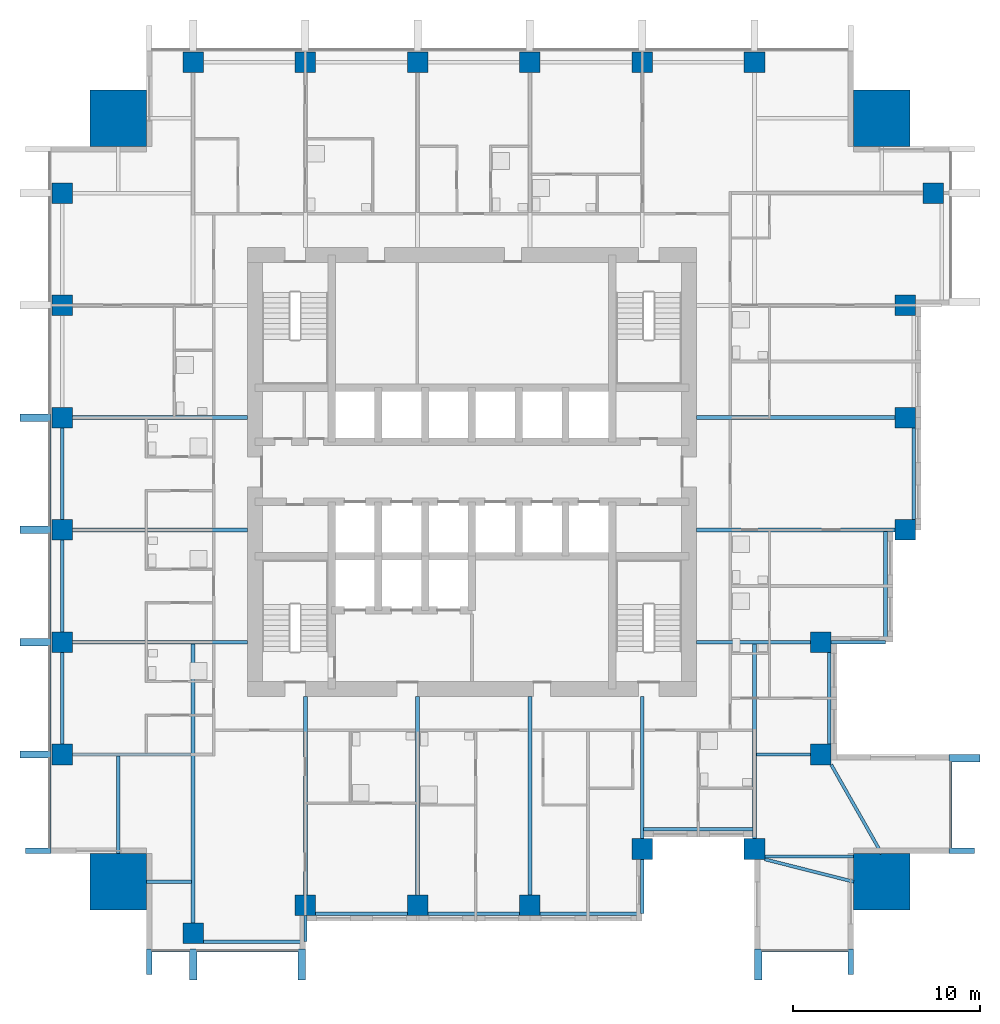
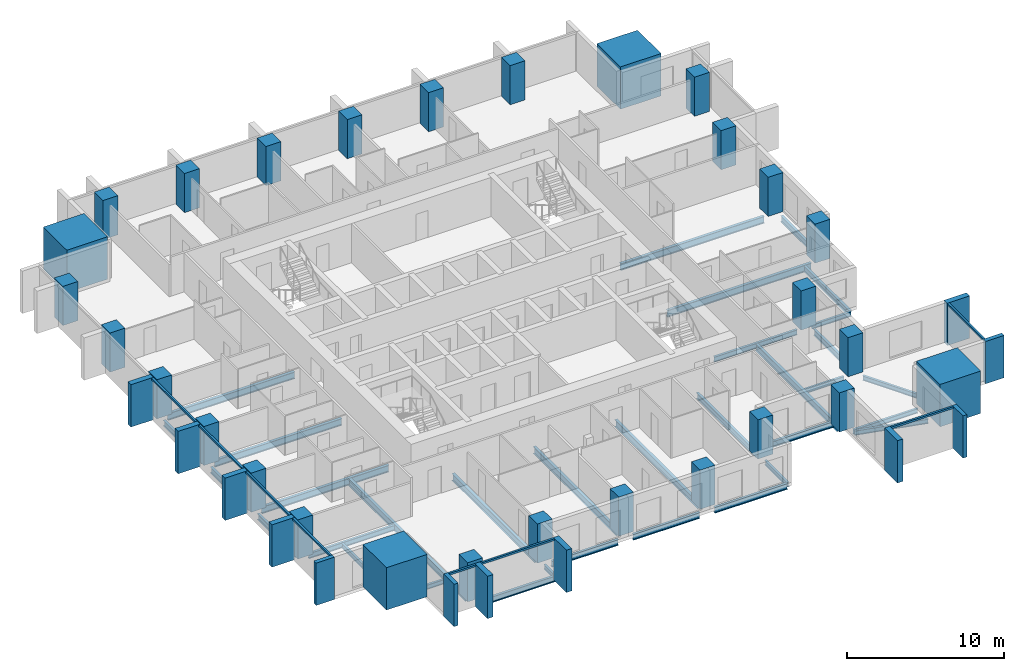
# One storey, part 1 of 10: 33 beams, 28 columns, 20 members, 4 elements without a shape of their own.
"""IFC4 building model written with IfcOpenShell, lengths in metres."""

from ifc_helpers import new_model, si_unit, direction, frame, origin, origin_2d, place, context, subcontext, project, spatial, rectangle, i_section, extrude, material, material_profile, profile_set, type_object, element, aggregate, save


model = new_model("IFC4")

# Units and contexts
model_context = context("Model", 3, precision=1e-05, world=origin(), true_north=direction((0.0, 1.0)))
body_context = subcontext(model_context, "Body", "Model", "MODEL_VIEW")
ifc_project = project(units=[si_unit("LENGTHUNIT", "METRE"), si_unit("AREAUNIT", "SQUARE_METRE"), si_unit("VOLUMEUNIT", "CUBIC_METRE"), si_unit("PLANEANGLEUNIT", "RADIAN"), si_unit("MASSUNIT", "GRAM", prefix="KILO")], contexts=[model_context])

# Site, building, storey
site_placement = place(None, origin())
site = spatial("IfcSite", under=ifc_project, at=site_placement, CompositionType="ELEMENT")
building_placement = place(site_placement, origin())
building = spatial("IfcBuilding", under=site, at=building_placement, Name="Amberfall Residences", CompositionType="ELEMENT")
storey_placement = place(building_placement, frame((0.0, 0.0, 101.800048828125)))
storey = spatial("IfcBuildingStorey", under=building, at=storey_placement, Name="L27", CompositionType="ELEMENT", Elevation=101.800048828125)

# Columns
ifc_material_1 = material(Name="Concrete C70", Category="concrete")
ifc_material_profile_1 = material_profile(ifc_material_1, rectangle(XDim=1.10009765625, YDim=1.10009765625, at=origin_2d()), Name="Column 1100 x 1100 C70")
ifc_profile_set_1 = profile_set([ifc_material_profile_1], Name="Concrete C70")
column_type_1 = type_object("IfcColumnType", Name="Column 1100 x 1100 C70", PredefinedType="COLUMN", material=ifc_profile_set_1)
for number, where, z_axis, x_axis, name in (
    (1, (59.60009765625, 20.85009765625, 0.0), (0.0, 0.0, 1.0), (1.0, 0.0, 0.0), "Column C2 L27 S1"),
    (2, (65.60009765625, 22.35009765625, 0.0), (0.0, 0.0, 1.0), (1.0, 0.0, 0.0), "Column C2 L27 S2"),
    (3, (71.60009765625, 22.35009765625, 0.0), (0.0, 0.0, 1.0), (1.0, 0.0, 0.0), "Column C2 L27 S3"),
    (4, (77.60009765625, 22.35009765625, 0.0), (0.0, 0.0, 1.0), (1.0, 0.0, 0.0), "Column C2 L27 S4"),
    (5, (83.60009765625, 25.35009765625, 0.0), (0.0, 0.0, 1.0), (1.0, 0.0, 0.0), "Column C2 L27 S5"),
    (6, (89.60009765625, 25.35009765625, 0.0), (0.0, 0.0, 1.0), (1.0, 0.0, 0.0), "Column C2 L27 S6"),
    (7, (93.14990234375, 30.39990234375, 0.0), (0.0, 0.0, 1.0), (1.0, 0.0, 0.0), "Column C2 L27 E1"),
    (8, (93.14990234375, 36.39990234375, 0.0), (0.0, 0.0, 1.0), (1.0, 0.0, 0.0), "Column C2 L27 E2"),
    (9, (97.64990234375, 42.39990234375, 0.0), (0.0, 0.0, 1.0), (1.0, 0.0, 0.0), "Column C2 L27 E3"),
    (10, (97.64990234375, 48.39990234375, 0.0), (0.0, 0.0, 1.0), (1.0, 0.0, 0.0), "Column C2 L27 E4"),
    (11, (97.64990234375, 54.39990234375, 0.0), (0.0, 0.0, 1.0), (1.0, 0.0, 0.0), "Column C2 L27 E5"),
    (12, (99.14990234375, 60.39990234375, 0.0), (0.0, 0.0, 1.0), (1.0, 0.0, 0.0), "Column C2 L27 E6"),
    (13, (59.60009765625, 67.39990234375, 0.0), (0.0, 0.0, 1.0), (1.0, 0.0, 0.0), "Column C2 L27 N1"),
    (14, (65.60009765625, 67.39990234375, 0.0), (0.0, 0.0, 1.0), (1.0, 0.0, 0.0), "Column C2 L27 N2"),
    (15, (71.60009765625, 67.39990234375, 0.0), (0.0, 0.0, 1.0), (1.0, 0.0, 0.0), "Column C2 L27 N3"),
    (16, (77.60009765625, 67.39990234375, 0.0), (0.0, 0.0, 1.0), (1.0, 0.0, 0.0), "Column C2 L27 N4"),
    (17, (83.60009765625, 67.39990234375, 0.0), (0.0, 0.0, 1.0), (1.0, 0.0, 0.0), "Column C2 L27 N5"),
    (18, (89.60009765625, 67.39990234375, 0.0), (0.0, 0.0, 1.0), (1.0, 0.0, 0.0), "Column C2 L27 N6"),
    (19, (52.60009765625, 30.39990234375, 0.0), (0.0, 0.0, 1.0), (1.0, 0.0, 0.0), "Column C2 L27 W1"),
    (20, (52.60009765625, 36.39990234375, 0.0), (0.0, 0.0, 1.0), (1.0, 0.0, 0.0), "Column C2 L27 W2"),
    (21, (52.60009765625, 42.39990234375, 0.0), (0.0, 0.0, 1.0), (1.0, 0.0, 0.0), "Column C2 L27 W3"),
    (22, (52.60009765625, 48.39990234375, 0.0), (0.0, 0.0, 1.0), (1.0, 0.0, 0.0), "Column C2 L27 W4"),
    (23, (52.60009765625, 54.39990234375, 0.0), (0.0, 0.0, 1.0), (1.0, 0.0, 0.0), "Column C2 L27 W5"),
    (24, (52.60009765625, 60.39990234375, 0.0), (0.0, 0.0, 1.0), (1.0, 0.0, 0.0), "Column C2 L27 W6"),
):
    element("IfcColumn", number, at=place(storey_placement, frame(where, z_axis=z_axis, x_axis=x_axis)), inside=storey, type_object=column_type_1, Name=name, PredefinedType="COLUMN", context=body_context, shape_type="SweptSolid", body=[
        extrude(rectangle(XDim=1.10009765625, YDim=1.10009765625, at=origin_2d()), origin(), (0.0, 0.0, 1.0), 3.050048828125),
    ])
ifc_material_profile_2 = material_profile(ifc_material_1, rectangle(XDim=3.0, YDim=3.0, at=origin_2d()), Name="Mega column 3000 x 3000 C70")
ifc_profile_set_2 = profile_set([ifc_material_profile_2], Name="Concrete C70")
column_type_2 = type_object("IfcColumnType", Name="Mega column 3000 x 3000 C70", PredefinedType="COLUMN", material=ifc_profile_set_2)
for number, where, z_axis, x_axis, name in (
    (25, (55.60009765625, 23.60009765625, 0.0), (0.0, 0.0, 1.0), (1.0, 0.0, 0.0), "Mega column MC2 L27 SW"),
    (26, (96.39990234375, 23.60009765625, 0.0), (0.0, 0.0, 1.0), (1.0, 0.0, 0.0), "Mega column MC2 L27 SE"),
    (27, (96.39990234375, 64.39990234375, 0.0), (0.0, 0.0, 1.0), (1.0, 0.0, 0.0), "Mega column MC2 L27 NE"),
    (28, (55.60009765625, 64.39990234375, 0.0), (0.0, 0.0, 1.0), (1.0, 0.0, 0.0), "Mega column MC2 L27 NW"),
):
    element("IfcColumn", number, at=place(storey_placement, frame(where, z_axis=z_axis, x_axis=x_axis)), inside=storey, type_object=column_type_2, Name=name, PredefinedType="COLUMN", context=body_context, shape_type="SweptSolid", body=[
        extrude(rectangle(XDim=3.0, YDim=3.0, at=origin_2d()), origin(), (0.0, 0.0, 1.0), 3.300048828125),
    ])

# Curtain wall, members
ifc_material_2 = material(Name="Bronze anodised aluminium and glass", Category="aluminium")
curtain_wall_type = type_object("IfcCurtainWallType", Name="Curtain wall CW1 tower unit", PredefinedType="USERDEFINED", material=ifc_material_2)
curtain_wall_1_placement = place(storey_placement, origin())
curtain_wall_1 = element("IfcCurtainWall", 29, at=curtain_wall_1_placement, inside=storey, type_object=curtain_wall_type, Name="Curtain wall L27 S S1", ObjectType="UNITISED CURTAIN WALL", PredefinedType="USERDEFINED")
ifc_material_3 = material(Name="Bronze anodised aluminium", Category="aluminium")
ifc_material_profile_3 = material_profile(ifc_material_3, rectangle(XDim=0.14990234375, YDim=0.14990234375, at=origin_2d()), Name="CW1 transom 150 x 150 bronze")
ifc_profile_set_3 = profile_set([ifc_material_profile_3], Name="Bronze anodised aluminium")
member_type_1 = type_object("IfcMemberType", Name="CW1 transom 150 x 150 bronze", PredefinedType="USERDEFINED", material=ifc_profile_set_3)
member_1_placement = place(storey_placement, frame((57.39990234375, 19.925048828125, 2.974853515625), z_axis=(1.0, 0.0, 0.0), x_axis=(0.0, 1.0, 0.0)))
member_1 = element("IfcMember", 30, at=member_1_placement, type_object=member_type_1, Name="CW1 transom 1.1", ObjectType="TRANSOM", PredefinedType="USERDEFINED", context=body_context, shape_type="SweptSolid", body=[
    extrude(rectangle(XDim=0.14990234375, YDim=0.14990234375, at=origin_2d()), origin(), (0.0, 0.0, 1.0), 2.0),
])
member_2_placement = place(storey_placement, frame((59.800048828125, 19.925048828125, 2.974853515625), z_axis=(1.0, 0.0, 0.0), x_axis=(0.0, 1.0, 0.0)))
member_2 = element("IfcMember", 31, at=member_2_placement, type_object=member_type_1, Name="CW1 transom 2.1", ObjectType="TRANSOM", PredefinedType="USERDEFINED", context=body_context, shape_type="SweptSolid", body=[
    extrude(rectangle(XDim=0.14990234375, YDim=0.14990234375, at=origin_2d()), origin(), (0.0, 0.0, 1.0), 5.39990234375),
])

# Curtain wall, member
curtain_wall_2_placement = place(storey_placement, origin())
curtain_wall_2 = element("IfcCurtainWall", 32, at=curtain_wall_2_placement, inside=storey, type_object=curtain_wall_type, Name="Curtain wall L27 S S9", ObjectType="UNITISED CURTAIN WALL", PredefinedType="USERDEFINED")
member_3_placement = place(storey_placement, frame((90.0, 19.925048828125, 2.974853515625), z_axis=(1.0, 0.0, 0.0), x_axis=(0.0, 1.0, 0.0)))
member_3 = element("IfcMember", 33, at=member_3_placement, type_object=member_type_1, Name="CW1 transom 1.1", ObjectType="TRANSOM", PredefinedType="USERDEFINED", context=body_context, shape_type="SweptSolid", body=[
    extrude(rectangle(XDim=0.14990234375, YDim=0.14990234375, at=origin_2d()), origin(), (0.0, 0.0, 1.0), 4.60009765625),
])

curtain_wall_3_placement = place(storey_placement, origin())
curtain_wall_3 = element("IfcCurtainWall", 34, at=curtain_wall_3_placement, inside=storey, type_object=curtain_wall_type, Name="Curtain wall L27 E E1", ObjectType="UNITISED CURTAIN WALL", PredefinedType="USERDEFINED")
member_4_placement = place(storey_placement, frame((100.074951171875, 25.39990234375, 2.974853515625), z_axis=(0.0, 1.0, 0.0), x_axis=(-1.0, 0.0, 0.0)))
member_4 = element("IfcMember", 35, at=member_4_placement, type_object=member_type_1, Name="CW1 transom 1.1", ObjectType="TRANSOM", PredefinedType="USERDEFINED", context=body_context, shape_type="SweptSolid", body=[
    extrude(rectangle(XDim=0.14990234375, YDim=0.14990234375, at=origin_2d()), origin(), (0.0, 0.0, 1.0), 4.60009765625),
])

# Curtain wall, members
curtain_wall_4_placement = place(storey_placement, origin())
curtain_wall_4 = element("IfcCurtainWall", 36, at=curtain_wall_4_placement, inside=storey, type_object=curtain_wall_type, Name="Curtain wall L27 W W1", ObjectType="UNITISED CURTAIN WALL", PredefinedType="USERDEFINED")
member_5_placement = place(storey_placement, frame((51.925048828125, 48.199951171875, 2.974853515625), z_axis=(0.0, -1.0, 0.0), x_axis=(1.0, 0.0, 0.0)))
member_5 = element("IfcMember", 37, at=member_5_placement, type_object=member_type_1, Name="CW1 transom 4.1", ObjectType="TRANSOM", PredefinedType="USERDEFINED", context=body_context, shape_type="SweptSolid", body=[
    extrude(rectangle(XDim=0.14990234375, YDim=0.14990234375, at=origin_2d()), origin(), (0.0, 0.0, 1.0), 5.599853515625),
])
member_6_placement = place(storey_placement, frame((51.925048828125, 42.199951171875, 2.974853515625), z_axis=(0.0, -1.0, 0.0), x_axis=(1.0, 0.0, 0.0)))
member_6 = element("IfcMember", 38, at=member_6_placement, type_object=member_type_1, Name="CW1 transom 5.1", ObjectType="TRANSOM", PredefinedType="USERDEFINED", context=body_context, shape_type="SweptSolid", body=[
    extrude(rectangle(XDim=0.14990234375, YDim=0.14990234375, at=origin_2d()), origin(), (0.0, 0.0, 1.0), 5.599853515625),
])
member_7_placement = place(storey_placement, frame((51.925048828125, 36.199951171875, 2.974853515625), z_axis=(0.0, -1.0, 0.0), x_axis=(1.0, 0.0, 0.0)))
member_7 = element("IfcMember", 39, at=member_7_placement, type_object=member_type_1, Name="CW1 transom 6.1", ObjectType="TRANSOM", PredefinedType="USERDEFINED", context=body_context, shape_type="SweptSolid", body=[
    extrude(rectangle(XDim=0.14990234375, YDim=0.14990234375, at=origin_2d()), origin(), (0.0, 0.0, 1.0), 5.599853515625),
])
member_8_placement = place(storey_placement, frame((51.925048828125, 30.199951171875, 2.974853515625), z_axis=(0.0, -1.0, 0.0), x_axis=(1.0, 0.0, 0.0)))
member_8 = element("IfcMember", 40, at=member_8_placement, type_object=member_type_1, Name="CW1 transom 7.1", ObjectType="TRANSOM", PredefinedType="USERDEFINED", context=body_context, shape_type="SweptSolid", body=[
    extrude(rectangle(XDim=0.14990234375, YDim=0.14990234375, at=origin_2d()), origin(), (0.0, 0.0, 1.0), 4.800048828125),
])

# Beams
ifc_material_4 = material(Name="Steel S355", Category="steel")
ifc_material_profile_4 = material_profile(ifc_material_4, i_section(OverallWidth=0.171142578125, OverallDepth=0.351318359375, WebThickness=0.007080078125, FlangeThickness=0.009765625, FilletRadius=0.01025390625, at=origin_2d()), Name="UB 356x171x45")
ifc_profile_set_4 = profile_set([ifc_material_profile_4], Name="Steel S355")
beam_type_1 = type_object("IfcBeamType", Name="Cantilever girder UB 356x171x45", PredefinedType="BEAM", material=ifc_profile_set_4)
beam_1_placement = place(storey_placement, frame((65.60009765625, 21.800048828125, -0.42578125), z_axis=(0.0, -1.0, 0.0), x_axis=(1.0, 0.0, 0.0)))
element("IfcBeam", 41, at=beam_1_placement, inside=storey, type_object=beam_type_1, Name="Cantilever girder B8 L27 06", PredefinedType="BEAM", context=body_context, shape_type="SweptSolid", body=[
    extrude(i_section(OverallWidth=0.171142578125, OverallDepth=0.351318359375, WebThickness=0.007080078125, FlangeThickness=0.009765625, FilletRadius=0.01025390625, at=origin_2d()), origin(), (0.0, 0.0, 1.0), 1.400146484375),
])
for number, where, z_axis, x_axis, name in (
    (42, (83.60009765625, 24.800048828125, -0.42578125), (0.0, -1.0, 0.0), (1.0, 0.0, 0.0), "Cantilever girder B8 L27 07"),
    (43, (93.699951171875, 36.39990234375, -0.42578125), (1.0, 0.0, 0.0), (0.0, 1.0, 0.0), "Cantilever girder B8 L27 19"),
):
    element("IfcBeam", number, at=place(storey_placement, frame(where, z_axis=z_axis, x_axis=x_axis)), inside=storey, type_object=beam_type_1, Name=name, PredefinedType="BEAM", context=body_context, shape_type="SweptSolid", body=[
        extrude(i_section(OverallWidth=0.171142578125, OverallDepth=0.351318359375, WebThickness=0.007080078125, FlangeThickness=0.009765625, FilletRadius=0.01025390625, at=origin_2d()), origin(), (0.0, 0.0, 1.0), 2.900146484375),
    ])

# Member
ifc_material_profile_5 = material_profile(ifc_material_3, rectangle(XDim=1.35009765625, YDim=0.300048828125, at=origin_2d()), Name="Corner fin 300 x 1350 bronze")
ifc_profile_set_5 = profile_set([ifc_material_profile_5], Name="Bronze anodised aluminium")
member_type_2 = type_object("IfcMemberType", Name="Corner fin 300 x 1350 bronze", PredefinedType="MULLION", material=ifc_profile_set_5)
member_9_placement = place(storey_placement, frame((57.25, 19.324951171875, -0.25), z_axis=(0.0, 0.0, 1.0), x_axis=(0.0, 1.0, 0.0)))
member_9 = element("IfcMember", 44, at=member_9_placement, type_object=member_type_2, Name="CW FIN 1", PredefinedType="MULLION", context=body_context, shape_type="SweptSolid", body=[
    extrude(rectangle(XDim=1.35009765625, YDim=0.300048828125, at=origin_2d()), origin(), (0.0, 0.0, 1.0), 3.300048828125),
])

member_10_placement = place(storey_placement, frame((94.75, 19.324951171875, -0.25), z_axis=(0.0, 0.0, 1.0), x_axis=(0.0, 1.0, 0.0)))
member_10 = element("IfcMember", 45, at=member_10_placement, type_object=member_type_2, Name="CW FIN 2", PredefinedType="MULLION", context=body_context, shape_type="SweptSolid", body=[
    extrude(rectangle(XDim=1.35009765625, YDim=0.300048828125, at=origin_2d()), origin(), (0.0, 0.0, 1.0), 3.300048828125),
])

member_11_placement = place(storey_placement, frame((100.675048828125, 25.25, -0.25), z_axis=(0.0, 0.0, 1.0), x_axis=(-1.0, 0.0, 0.0)))
member_11 = element("IfcMember", 46, at=member_11_placement, type_object=member_type_2, Name="CW FIN 1", PredefinedType="MULLION", context=body_context, shape_type="SweptSolid", body=[
    extrude(rectangle(XDim=1.35009765625, YDim=0.300048828125, at=origin_2d()), origin(), (0.0, 0.0, 1.0), 3.300048828125),
])

member_12_placement = place(storey_placement, frame((51.324951171875, 25.25, -0.25), z_axis=(0.0, 0.0, 1.0), x_axis=(1.0, 0.0, 0.0)))
member_12 = element("IfcMember", 47, at=member_12_placement, type_object=member_type_2, Name="CW FIN 8", PredefinedType="MULLION", context=body_context, shape_type="SweptSolid", body=[
    extrude(rectangle(XDim=1.35009765625, YDim=0.300048828125, at=origin_2d()), origin(), (0.0, 0.0, 1.0), 3.300048828125),
])

# Beams
ifc_material_profile_6 = material_profile(ifc_material_4, i_section(OverallWidth=0.18994140625, OverallDepth=0.453369140625, WebThickness=0.008544921875, FlangeThickness=0.0126953125, FilletRadius=0.01025390625, at=origin_2d()), Name="UB 457x191x67")
ifc_profile_set_6 = profile_set([ifc_material_profile_6], Name="Steel S355")
beam_type_2 = type_object("IfcBeamType", Name="Edge beam UB 457x191x67", PredefinedType="SPANDREL", material=ifc_profile_set_6)
beam_2_placement = place(storey_placement, frame((60.14990234375, 20.39990234375, -0.476806640625), z_axis=(1.0, 0.0, 0.0), x_axis=(0.0, 1.0, 0.0)))
element("IfcBeam", 48, at=beam_2_placement, inside=storey, type_object=beam_type_2, Name="Edge beam B1 L27 01", PredefinedType="SPANDREL", context=body_context, shape_type="SweptSolid", body=[
    extrude(i_section(OverallWidth=0.18994140625, OverallDepth=0.453369140625, WebThickness=0.008544921875, FlangeThickness=0.0126953125, FilletRadius=0.01025390625, at=origin_2d()), origin(), (0.0, 0.0, 1.0), 5.3701171875),
])
for number, where, z_axis, x_axis, name in (
    (49, (66.14990234375, 21.89990234375, -0.476806640625), (1.0, 0.0, 0.0), (0.0, 1.0, 0.0), "Edge beam B1 L27 02"),
    (50, (72.14990234375, 21.89990234375, -0.476806640625), (1.0, 0.0, 0.0), (0.0, 1.0, 0.0), "Edge beam B1 L27 03"),
):
    element("IfcBeam", number, at=place(storey_placement, frame(where, z_axis=z_axis, x_axis=x_axis)), inside=storey, type_object=beam_type_2, Name=name, PredefinedType="SPANDREL", context=body_context, shape_type="SweptSolid", body=[
        extrude(i_section(OverallWidth=0.18994140625, OverallDepth=0.453369140625, WebThickness=0.008544921875, FlangeThickness=0.0126953125, FilletRadius=0.01025390625, at=origin_2d()), origin(), (0.0, 0.0, 1.0), 4.900146484375),
    ])
beam_3_placement = place(storey_placement, frame((78.14990234375, 21.89990234375, -0.476806640625), z_axis=(1.0, 0.0, 0.0), x_axis=(0.0, 1.0, 0.0)))
element("IfcBeam", 51, at=beam_3_placement, inside=storey, type_object=beam_type_2, Name="Edge beam B1 L27 04", PredefinedType="SPANDREL", context=body_context, shape_type="SweptSolid", body=[
    extrude(i_section(OverallWidth=0.18994140625, OverallDepth=0.453369140625, WebThickness=0.008544921875, FlangeThickness=0.0126953125, FilletRadius=0.01025390625, at=origin_2d()), origin(), (0.0, 0.0, 1.0), 5.3701171875),
])
beam_4_placement = place(storey_placement, frame((83.679931640625, 26.39990234375, -0.476806640625), z_axis=(1.0, 0.0, 0.0), x_axis=(0.0, 1.0, 0.0)))
element("IfcBeam", 52, at=beam_4_placement, inside=storey, type_object=beam_type_2, Name="Edge beam B1 L27 05", PredefinedType="SPANDREL", context=body_context, shape_type="SweptSolid", body=[
    extrude(i_section(OverallWidth=0.18994140625, OverallDepth=0.453369140625, WebThickness=0.008544921875, FlangeThickness=0.0126953125, FilletRadius=0.01025390625, at=origin_2d()), origin(), (0.0, 0.0, 1.0), 5.840087890625),
])
beam_5_placement = place(storey_placement, frame((93.60009765625, 30.949951171875, -0.476806640625), z_axis=(0.0, 1.0, 0.0), x_axis=(-1.0, 0.0, 0.0)))
element("IfcBeam", 53, at=beam_5_placement, inside=storey, type_object=beam_type_2, Name="Edge beam B1 L27 14", PredefinedType="SPANDREL", context=body_context, shape_type="SweptSolid", body=[
    extrude(i_section(OverallWidth=0.18994140625, OverallDepth=0.453369140625, WebThickness=0.008544921875, FlangeThickness=0.0126953125, FilletRadius=0.01025390625, at=origin_2d()), origin(), (0.0, 0.0, 1.0), 4.900146484375),
])
beam_6_placement = place(storey_placement, frame((96.60009765625, 36.47998046875, -0.476806640625), z_axis=(0.0, 1.0, 0.0), x_axis=(-1.0, 0.0, 0.0)))
element("IfcBeam", 54, at=beam_6_placement, inside=storey, type_object=beam_type_2, Name="Edge beam B1 L27 15", PredefinedType="SPANDREL", context=body_context, shape_type="SweptSolid", body=[
    extrude(i_section(OverallWidth=0.18994140625, OverallDepth=0.453369140625, WebThickness=0.008544921875, FlangeThickness=0.0126953125, FilletRadius=0.01025390625, at=origin_2d()), origin(), (0.0, 0.0, 1.0), 5.840087890625),
])
for number, where, z_axis, x_axis, name in (
    (55, (98.10009765625, 42.949951171875, -0.476806640625), (0.0, 1.0, 0.0), (-1.0, 0.0, 0.0), "Edge beam B1 L27 16"),
    (56, (52.60009765625, 30.949951171875, -0.476806640625), (0.0, 1.0, 0.0), (-1.0, 0.0, 0.0), "Edge beam B1 L27 38"),
    (57, (52.60009765625, 36.949951171875, -0.476806640625), (0.0, 1.0, 0.0), (-1.0, 0.0, 0.0), "Edge beam B1 L27 39"),
    (58, (52.60009765625, 42.949951171875, -0.476806640625), (0.0, 1.0, 0.0), (-1.0, 0.0, 0.0), "Edge beam B1 L27 40"),
):
    element("IfcBeam", number, at=place(storey_placement, frame(where, z_axis=z_axis, x_axis=x_axis)), inside=storey, type_object=beam_type_2, Name=name, PredefinedType="SPANDREL", context=body_context, shape_type="SweptSolid", body=[
        extrude(i_section(OverallWidth=0.18994140625, OverallDepth=0.453369140625, WebThickness=0.008544921875, FlangeThickness=0.0126953125, FilletRadius=0.01025390625, at=origin_2d()), origin(), (0.0, 0.0, 1.0), 4.900146484375),
    ])

# Member
ifc_material_profile_7 = material_profile(ifc_material_3, rectangle(XDim=1.64990234375, YDim=0.39990234375, at=origin_2d()), Name="Fin 400 x 1650 bronze")
ifc_profile_set_7 = profile_set([ifc_material_profile_7], Name="Bronze anodised aluminium")
member_type_3 = type_object("IfcMemberType", Name="Fin 400 x 1650 bronze", PredefinedType="MULLION", material=ifc_profile_set_7)
member_13_placement = place(storey_placement, frame((59.60009765625, 19.175048828125, -0.25), z_axis=(0.0, 0.0, 1.0), x_axis=(0.0, 1.0, 0.0)))
member_13 = element("IfcMember", 59, at=member_13_placement, type_object=member_type_3, Name="CW FIN 2", PredefinedType="MULLION", context=body_context, shape_type="SweptSolid", body=[
    extrude(rectangle(XDim=1.64990234375, YDim=0.39990234375, at=origin_2d()), origin(), (0.0, 0.0, 1.0), 3.300048828125),
])

member_14_placement = place(storey_placement, frame((65.39990234375, 19.175048828125, -0.25), z_axis=(0.0, 0.0, 1.0), x_axis=(0.0, 1.0, 0.0)))
member_14 = element("IfcMember", 60, at=member_14_placement, type_object=member_type_3, Name="CW FIN 3", PredefinedType="MULLION", context=body_context, shape_type="SweptSolid", body=[
    extrude(rectangle(XDim=1.64990234375, YDim=0.39990234375, at=origin_2d()), origin(), (0.0, 0.0, 1.0), 3.300048828125),
])

aggregate(curtain_wall_1, [member_9, member_13, member_14, member_1, member_2])

member_15_placement = place(storey_placement, frame((89.800048828125, 19.175048828125, -0.25), z_axis=(0.0, 0.0, 1.0), x_axis=(0.0, 1.0, 0.0)))
member_15 = element("IfcMember", 61, at=member_15_placement, type_object=member_type_3, Name="CW FIN 1", PredefinedType="MULLION", context=body_context, shape_type="SweptSolid", body=[
    extrude(rectangle(XDim=1.64990234375, YDim=0.39990234375, at=origin_2d()), origin(), (0.0, 0.0, 1.0), 3.300048828125),
])

aggregate(curtain_wall_2, [member_15, member_10, member_3])

member_16_placement = place(storey_placement, frame((100.824951171875, 30.199951171875, -0.25), z_axis=(0.0, 0.0, 1.0), x_axis=(-1.0, 0.0, 0.0)))
member_16 = element("IfcMember", 62, at=member_16_placement, type_object=member_type_3, Name="CW FIN 2", PredefinedType="MULLION", context=body_context, shape_type="SweptSolid", body=[
    extrude(rectangle(XDim=1.64990234375, YDim=0.39990234375, at=origin_2d()), origin(), (0.0, 0.0, 1.0), 3.300048828125),
])

aggregate(curtain_wall_3, [member_11, member_16, member_4])

member_17_placement = place(storey_placement, frame((51.175048828125, 48.39990234375, -0.25), z_axis=(0.0, 0.0, 1.0), x_axis=(1.0, 0.0, 0.0)))
member_17 = element("IfcMember", 63, at=member_17_placement, type_object=member_type_3, Name="CW FIN 4", PredefinedType="MULLION", context=body_context, shape_type="SweptSolid", body=[
    extrude(rectangle(XDim=1.64990234375, YDim=0.39990234375, at=origin_2d()), origin(), (0.0, 0.0, 1.0), 3.300048828125),
])

member_18_placement = place(storey_placement, frame((51.175048828125, 42.39990234375, -0.25), z_axis=(0.0, 0.0, 1.0), x_axis=(1.0, 0.0, 0.0)))
member_18 = element("IfcMember", 64, at=member_18_placement, type_object=member_type_3, Name="CW FIN 5", PredefinedType="MULLION", context=body_context, shape_type="SweptSolid", body=[
    extrude(rectangle(XDim=1.64990234375, YDim=0.39990234375, at=origin_2d()), origin(), (0.0, 0.0, 1.0), 3.300048828125),
])

member_19_placement = place(storey_placement, frame((51.175048828125, 36.39990234375, -0.25), z_axis=(0.0, 0.0, 1.0), x_axis=(1.0, 0.0, 0.0)))
member_19 = element("IfcMember", 65, at=member_19_placement, type_object=member_type_3, Name="CW FIN 6", PredefinedType="MULLION", context=body_context, shape_type="SweptSolid", body=[
    extrude(rectangle(XDim=1.64990234375, YDim=0.39990234375, at=origin_2d()), origin(), (0.0, 0.0, 1.0), 3.300048828125),
])

member_20_placement = place(storey_placement, frame((51.175048828125, 30.39990234375, -0.25), z_axis=(0.0, 0.0, 1.0), x_axis=(1.0, 0.0, 0.0)))
member_20 = element("IfcMember", 66, at=member_20_placement, type_object=member_type_3, Name="CW FIN 7", PredefinedType="MULLION", context=body_context, shape_type="SweptSolid", body=[
    extrude(rectangle(XDim=1.64990234375, YDim=0.39990234375, at=origin_2d()), origin(), (0.0, 0.0, 1.0), 3.300048828125),
])

aggregate(curtain_wall_4, [member_17, member_18, member_19, member_20, member_12, member_5, member_6, member_7, member_8])

# Beams
ifc_material_profile_8 = material_profile(ifc_material_4, i_section(OverallWidth=0.171142578125, OverallDepth=0.351318359375, WebThickness=0.007080078125, FlangeThickness=0.009765625, FilletRadius=0.01025390625, at=origin_2d()), Name="UB 356x171x45")
ifc_profile_set_8 = profile_set([ifc_material_profile_8], Name="Steel S355")
beam_type_3 = type_object("IfcBeamType", Name="Floor girder UB 356x171x45", PredefinedType="BEAM", material=ifc_profile_set_8)
beam_7_placement = place(storey_placement, frame((92.60009765625, 30.39990234375, -0.42578125), z_axis=(-1.0, 0.0, 0.0), x_axis=(0.0, -1.0, 0.0)))
element("IfcBeam", 67, at=beam_7_placement, inside=storey, type_object=beam_type_3, Name="Floor girder B11 L27 21", PredefinedType="BEAM", context=body_context, shape_type="SweptSolid", body=[
    extrude(i_section(OverallWidth=0.171142578125, OverallDepth=0.351318359375, WebThickness=0.007080078125, FlangeThickness=0.009765625, FilletRadius=0.01025390625, at=origin_2d()), origin(), (0.0, 0.0, 1.0), 2.880126953125),
])
ifc_material_profile_9 = material_profile(ifc_material_4, i_section(OverallWidth=0.177734375, OverallDepth=0.402587890625, WebThickness=0.0078125, FlangeThickness=0.010986328125, FilletRadius=0.01025390625, at=origin_2d()), Name="UB 406x178x54")
ifc_profile_set_9 = profile_set([ifc_material_profile_9], Name="Steel S355")
beam_type_4 = type_object("IfcBeamType", Name="Floor girder UB 406x178x54", PredefinedType="BEAM", material=ifc_profile_set_9)
beam_8_placement = place(storey_placement, frame((92.60009765625, 36.39990234375, -0.451416015625), z_axis=(-1.0, 0.0, 0.0), x_axis=(0.0, -1.0, 0.0)))
element("IfcBeam", 68, at=beam_8_placement, inside=storey, type_object=beam_type_4, Name="Floor girder B4 L27 22", PredefinedType="BEAM", context=body_context, shape_type="SweptSolid", body=[
    extrude(i_section(OverallWidth=0.177734375, OverallDepth=0.402587890625, WebThickness=0.0078125, FlangeThickness=0.010986328125, FilletRadius=0.01025390625, at=origin_2d()), origin(), (0.0, 0.0, 1.0), 6.10009765625),
])
beam_9_placement = place(storey_placement, frame((53.14990234375, 30.39990234375, -0.451416015625), z_axis=(1.0, 0.0, 0.0), x_axis=(0.0, 1.0, 0.0)))
element("IfcBeam", 69, at=beam_9_placement, inside=storey, type_object=beam_type_4, Name="Floor girder B4 L27 43", PredefinedType="BEAM", context=body_context, shape_type="SweptSolid", body=[
    extrude(i_section(OverallWidth=0.177734375, OverallDepth=0.402587890625, WebThickness=0.0078125, FlangeThickness=0.010986328125, FilletRadius=0.01025390625, at=origin_2d()), origin(), (0.0, 0.0, 1.0), 6.330078125),
])
ifc_material_profile_10 = material_profile(ifc_material_4, i_section(OverallWidth=0.19140625, OverallDepth=0.4599609375, WebThickness=0.010009765625, FlangeThickness=0.01611328125, FilletRadius=0.01025390625, at=origin_2d()), Name="UB 457x191x82")
ifc_profile_set_10 = profile_set([ifc_material_profile_10], Name="Steel S355")
beam_type_5 = type_object("IfcBeamType", Name="Floor girder UB 457x191x82", PredefinedType="BEAM", material=ifc_profile_set_10)
beam_10_placement = place(storey_placement, frame((83.60009765625, 25.89990234375, -0.47998046875), z_axis=(0.0, 1.0, 0.0), x_axis=(-1.0, 0.0, 0.0)))
element("IfcBeam", 70, at=beam_10_placement, inside=storey, type_object=beam_type_5, Name="Floor girder B10 L27 12", PredefinedType="BEAM", context=body_context, shape_type="SweptSolid", body=[
    extrude(i_section(OverallWidth=0.19140625, OverallDepth=0.4599609375, WebThickness=0.010009765625, FlangeThickness=0.01611328125, FilletRadius=0.01025390625, at=origin_2d()), origin(), (0.0, 0.0, 1.0), 7.60009765625),
])
ifc_material_profile_11 = material_profile(ifc_material_4, i_section(OverallWidth=0.210693359375, OverallDepth=0.53955078125, WebThickness=0.01171875, FlangeThickness=0.018798828125, FilletRadius=0.0126953125, at=origin_2d()), Name="UB 533x210x109")
ifc_profile_set_11 = profile_set([ifc_material_profile_11], Name="Steel S355")
beam_type_6 = type_object("IfcBeamType", Name="Floor girder UB 533x210x109", PredefinedType="BEAM", material=ifc_profile_set_11)
beam_11_placement = place(storey_placement, frame((59.60009765625, 21.39990234375, -0.519775390625), z_axis=(0.0, 1.0, 0.0), x_axis=(-1.0, 0.0, 0.0)))
element("IfcBeam", 71, at=beam_11_placement, inside=storey, type_object=beam_type_6, Name="Floor girder B2 L27 08", PredefinedType="BEAM", context=body_context, shape_type="SweptSolid", body=[
    extrude(i_section(OverallWidth=0.210693359375, OverallDepth=0.53955078125, WebThickness=0.01171875, FlangeThickness=0.018798828125, FilletRadius=0.0126953125, at=origin_2d()), origin(), (0.0, 0.0, 1.0), 14.900390625),
])
ifc_material_profile_12 = material_profile(ifc_material_4, i_section(OverallWidth=0.209228515625, OverallDepth=0.533203125, WebThickness=0.010009765625, FlangeThickness=0.015625, FilletRadius=0.0126953125, at=origin_2d()), Name="UB 533x210x92")
ifc_profile_set_12 = profile_set([ifc_material_profile_12], Name="Steel S355")
beam_type_7 = type_object("IfcBeamType", Name="Floor girder UB 533x210x92", PredefinedType="BEAM", material=ifc_profile_set_12)
for number, where, z_axis, x_axis, name in (
    (72, (65.60009765625, 22.89990234375, -0.5166015625), (0.0, 1.0, 0.0), (-1.0, 0.0, 0.0), "Floor girder B3 L27 09"),
    (73, (71.60009765625, 22.89990234375, -0.5166015625), (0.0, 1.0, 0.0), (-1.0, 0.0, 0.0), "Floor girder B3 L27 10"),
    (74, (77.60009765625, 22.89990234375, -0.5166015625), (0.0, 1.0, 0.0), (-1.0, 0.0, 0.0), "Floor girder B3 L27 11"),
):
    element("IfcBeam", number, at=place(storey_placement, frame(where, z_axis=z_axis, x_axis=x_axis)), inside=storey, type_object=beam_type_7, Name=name, PredefinedType="BEAM", context=body_context, shape_type="SweptSolid", body=[
        extrude(i_section(OverallWidth=0.209228515625, OverallDepth=0.533203125, WebThickness=0.010009765625, FlangeThickness=0.015625, FilletRadius=0.0126953125, at=origin_2d()), origin(), (0.0, 0.0, 1.0), 10.60009765625),
    ])
beam_12_placement = place(storey_placement, frame((89.60009765625, 25.89990234375, -0.5166015625), z_axis=(0.0, 1.0, 0.0), x_axis=(-1.0, 0.0, 0.0)))
element("IfcBeam", 75, at=beam_12_placement, inside=storey, type_object=beam_type_7, Name="Floor girder B3 L27 13", PredefinedType="BEAM", context=body_context, shape_type="SweptSolid", body=[
    extrude(i_section(OverallWidth=0.209228515625, OverallDepth=0.533203125, WebThickness=0.010009765625, FlangeThickness=0.015625, FilletRadius=0.0126953125, at=origin_2d()), origin(), (0.0, 0.0, 1.0), 10.416259765625),
])
for number, where, z_axis, x_axis, name in (
    (76, (97.10009765625, 42.39990234375, -0.5166015625), (-1.0, 0.0, 0.0), (0.0, -1.0, 0.0), "Floor girder B3 L27 23"),
    (77, (97.10009765625, 48.39990234375, -0.5166015625), (-1.0, 0.0, 0.0), (0.0, -1.0, 0.0), "Floor girder B3 L27 24"),
):
    element("IfcBeam", number, at=place(storey_placement, frame(where, z_axis=z_axis, x_axis=x_axis)), inside=storey, type_object=beam_type_7, Name=name, PredefinedType="BEAM", context=body_context, shape_type="SweptSolid", body=[
        extrude(i_section(OverallWidth=0.209228515625, OverallDepth=0.533203125, WebThickness=0.010009765625, FlangeThickness=0.015625, FilletRadius=0.0126953125, at=origin_2d()), origin(), (0.0, 0.0, 1.0), 10.60009765625),
    ])
for number, where, z_axis, x_axis, name in (
    (78, (53.14990234375, 36.39990234375, -0.5166015625), (1.0, 0.0, 0.0), (0.0, 1.0, 0.0), "Floor girder B3 L27 44"),
    (79, (53.14990234375, 42.39990234375, -0.5166015625), (1.0, 0.0, 0.0), (0.0, 1.0, 0.0), "Floor girder B3 L27 45"),
    (80, (53.14990234375, 48.39990234375, -0.5166015625), (1.0, 0.0, 0.0), (0.0, 1.0, 0.0), "Floor girder B3 L27 46"),
):
    element("IfcBeam", number, at=place(storey_placement, frame(where, z_axis=z_axis, x_axis=x_axis)), inside=storey, type_object=beam_type_7, Name=name, PredefinedType="BEAM", context=body_context, shape_type="SweptSolid", body=[
        extrude(i_section(OverallWidth=0.209228515625, OverallDepth=0.533203125, WebThickness=0.010009765625, FlangeThickness=0.015625, FilletRadius=0.0126953125, at=origin_2d()), origin(), (0.0, 0.0, 1.0), 9.35009765625),
    ])
ifc_material_profile_13 = material_profile(ifc_material_4, i_section(OverallWidth=0.171142578125, OverallDepth=0.351318359375, WebThickness=0.007080078125, FlangeThickness=0.009765625, FilletRadius=0.01025390625, at=origin_2d()), Name="UB 356x171x45")
ifc_profile_set_13 = profile_set([ifc_material_profile_13], Name="Steel S355")
beam_type_8 = type_object("IfcBeamType", Name="Link beam UB 356x171x45", PredefinedType="BEAM", material=ifc_profile_set_13)
beam_13_placement = place(storey_placement, frame((90.14990234375, 24.949951171875, -0.42578125), z_axis=(1.0, 0.0, 0.0), x_axis=(0.0, 1.0, 0.0)))
element("IfcBeam", 81, at=beam_13_placement, inside=storey, type_object=beam_type_8, Name="Link beam B7 L27 49", PredefinedType="BEAM", context=body_context, shape_type="SweptSolid", body=[
    extrude(i_section(OverallWidth=0.171142578125, OverallDepth=0.351318359375, WebThickness=0.007080078125, FlangeThickness=0.009765625, FilletRadius=0.01025390625, at=origin_2d()), origin(), (0.0, 0.0, 1.0), 4.75),
])
beam_14_placement = place(storey_placement, frame((57.10009765625, 23.60009765625, -0.42578125), z_axis=(1.0, 0.0, 0.0), x_axis=(0.0, 1.0, 0.0)))
element("IfcBeam", 82, at=beam_14_placement, inside=storey, type_object=beam_type_8, Name="Link beam B7 L27 50", PredefinedType="BEAM", context=body_context, shape_type="SweptSolid", body=[
    extrude(i_section(OverallWidth=0.171142578125, OverallDepth=0.351318359375, WebThickness=0.007080078125, FlangeThickness=0.009765625, FilletRadius=0.01025390625, at=origin_2d()), origin(), (0.0, 0.0, 1.0), 2.404541015625),
])
beam_15_placement = place(storey_placement, frame((55.60009765625, 25.10009765625, -0.42578125), z_axis=(0.0, 1.0, 0.0), x_axis=(-1.0, 0.0, 0.0)))
element("IfcBeam", 83, at=beam_15_placement, inside=storey, type_object=beam_type_8, Name="Link beam B7 L27 51", PredefinedType="BEAM", context=body_context, shape_type="SweptSolid", body=[
    extrude(i_section(OverallWidth=0.171142578125, OverallDepth=0.351318359375, WebThickness=0.007080078125, FlangeThickness=0.009765625, FilletRadius=0.01025390625, at=origin_2d()), origin(), (0.0, 0.0, 1.0), 5.22119140625),
])
beam_16_placement = place(storey_placement, frame((94.89990234375, 23.60009765625, -0.42578125), z_axis=(-0.969541561087, 0.244926848928, 0.0), x_axis=(-0.244926848928, -0.969541561087, 0.0)))
element("IfcBeam", 84, at=beam_16_placement, inside=storey, type_object=beam_type_8, Name="Link beam B7 L27 52", PredefinedType="BEAM", context=body_context, shape_type="SweptSolid", body=[
    extrude(i_section(OverallWidth=0.171142578125, OverallDepth=0.351318359375, WebThickness=0.007080078125, FlangeThickness=0.009765625, FilletRadius=0.01025390625, at=origin_2d()), origin(), (0.0, 0.0, 1.0), 4.899169921875),
])
beam_17_placement = place(storey_placement, frame((96.39990234375, 25.10009765625, -0.42578125), z_axis=(-0.494159870511, 0.869371049884, 0.0), x_axis=(-0.869371049884, -0.494159870511, 0.0)))
element("IfcBeam", 85, at=beam_17_placement, inside=storey, type_object=beam_type_8, Name="Link beam B7 L27 53", PredefinedType="BEAM", context=body_context, shape_type="SweptSolid", body=[
    extrude(i_section(OverallWidth=0.171142578125, OverallDepth=0.351318359375, WebThickness=0.007080078125, FlangeThickness=0.009765625, FilletRadius=0.01025390625, at=origin_2d()), origin(), (0.0, 0.0, 1.0), 5.463623046875),
])

save(model, "model.ifc")
